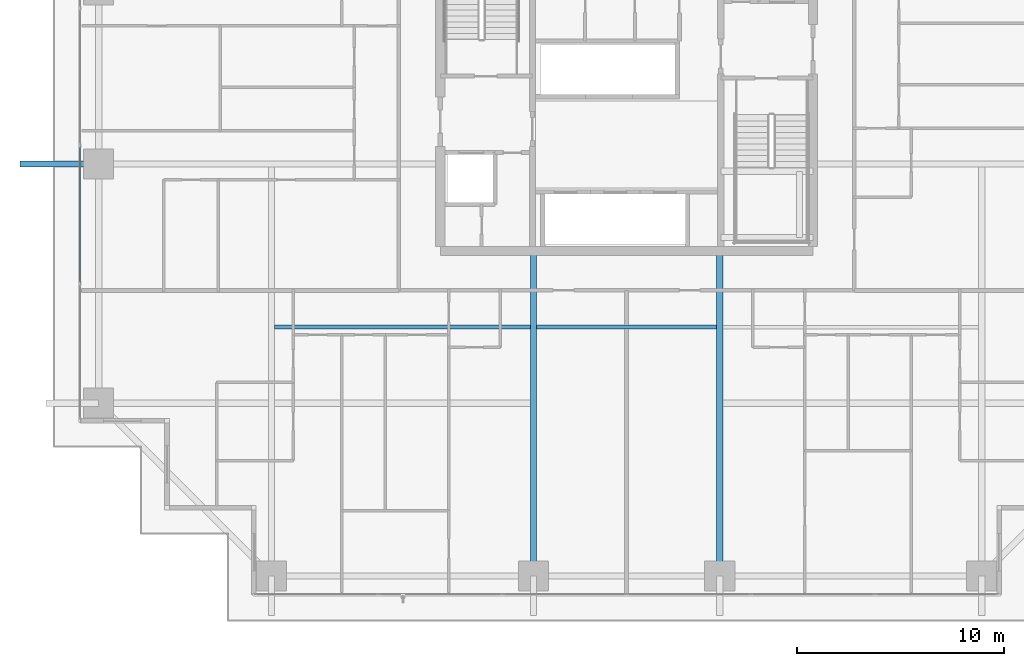
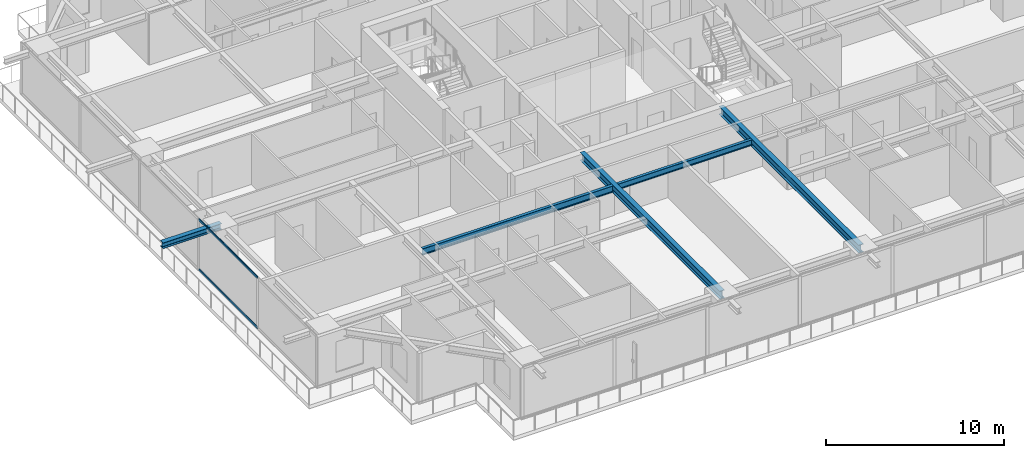
# One storey, part 6 of 39: 5 beams, 2 members, 1 element without a shape of its own.
"""IFC4 building model written with IfcOpenShell, lengths in metres."""

from ifc_helpers import new_model, si_unit, direction, frame, origin, origin_2d, place, context, subcontext, project, spatial, hollow_rectangle, i_section, extrude, source, transform, mapped, material, layer, layer_set, material_profile, profile_set, type_object, element, aggregate, save


model = new_model("IFC4")

# Units and contexts
model_context = context("Model", 3, precision=1e-05, world=origin(), true_north=direction((0.0, 1.0)))
body_context = subcontext(model_context, "Body", "Model", "MODEL_VIEW")
ifc_project = project(units=[si_unit("LENGTHUNIT", "METRE"), si_unit("AREAUNIT", "SQUARE_METRE"), si_unit("VOLUMEUNIT", "CUBIC_METRE"), si_unit("PLANEANGLEUNIT", "RADIAN"), si_unit("MASSUNIT", "GRAM", prefix="KILO")], contexts=[model_context])

# Site, building, storey
site_placement = place(None, origin())
site = spatial("IfcSite", under=ifc_project, at=site_placement, CompositionType="ELEMENT")
building_placement = place(site_placement, origin())
building = spatial("IfcBuilding", under=site, at=building_placement, Name="Serunith Strait Residences", CompositionType="ELEMENT")
storey_placement = place(building_placement, frame((0.0, 0.0, 97.949951171875)))
storey = spatial("IfcBuildingStorey", under=building, at=storey_placement, Name="L24", CompositionType="ELEMENT", Elevation=97.949951171875)

# Beams
ifc_material_1 = material(Name="Steel S355J2", Category="steel")
ifc_material_profile_1 = material_profile(ifc_material_1, i_section(OverallWidth=0.300048828125, OverallDepth=0.550048828125, WebThickness=0.014892578125, FlangeThickness=0.029052734375, FilletRadius=0.027099609375, at=origin_2d()), Name="HEB 550")
ifc_profile_set_1 = profile_set([ifc_material_profile_1], Name="Steel S355J2")
beam_type_1 = type_object("IfcBeamType", Name="BM-HEB550", PredefinedType="BEAM", material=ifc_profile_set_1)
shared_shape_1 = source(origin(), body_context, "Body", "SweptSolid", [
    extrude(i_section(OverallWidth=0.300048828125, OverallDepth=0.550048828125, WebThickness=0.014892578125, FlangeThickness=0.029052734375, FilletRadius=0.027099609375, at=origin_2d()), origin(), (0.0, 0.0, 1.0), 15.699951171875),
])
for number, where, z_axis, x_axis, name in (
    (1, (27.89990234375, 16.800048828125, 3.212158203125), (0.0, -1.0, 0.0), (1.0, 0.0, 0.0), "L24 Primary Floor Girder TC-S2"),
    (2, (36.89990234375, 16.800048828125, 3.212158203125), (0.0, -1.0, 0.0), (1.0, 0.0, 0.0), "L24 Primary Floor Girder TC-S3"),
):
    element("IfcBeam", number, at=place(storey_placement, frame(where, z_axis=z_axis, x_axis=x_axis)), inside=storey, type_object=beam_type_1, Name=name, PredefinedType="BEAM", context=body_context, shape_type="MappedRepresentation", body=[
        mapped(shared_shape_1, transform((0.0, 0.0, 0.0), scale=1.0)),
    ])
ifc_material_profile_2 = material_profile(ifc_material_1, i_section(OverallWidth=0.18994140625, OverallDepth=0.449951171875, WebThickness=0.009521484375, FlangeThickness=0.0146484375, FilletRadius=0.02099609375, at=origin_2d()), Name="IPE 450")
ifc_profile_set_2 = profile_set([ifc_material_profile_2], Name="Steel S355J2")
beam_type_2 = type_object("IfcBeamType", Name="BM-IPE450", PredefinedType="JOIST", material=ifc_profile_set_2)
shared_shape_2 = source(origin(), body_context, "Body", "SweptSolid", [
    extrude(i_section(OverallWidth=0.18994140625, OverallDepth=0.449951171875, WebThickness=0.009521484375, FlangeThickness=0.0146484375, FilletRadius=0.02099609375, at=origin_2d()), origin(), (0.0, 0.0, 1.0), 12.35009765625),
])
beam_1_placement = place(storey_placement, frame((15.39990234375, 13.125, 3.261962890625), z_axis=(1.0, 0.0, 0.0), x_axis=(0.0, 1.0, 0.0)))
element("IfcBeam", 3, at=beam_1_placement, inside=storey, type_object=beam_type_2, Name="L24 Composite Floor Joist 01", PredefinedType="JOIST", context=body_context, shape_type="MappedRepresentation", body=[
    mapped(shared_shape_2, transform((0.0, 0.0, 0.0), scale=1.0)),
])
ifc_material_profile_3 = material_profile(ifc_material_1, i_section(OverallWidth=0.179931640625, OverallDepth=0.39990234375, WebThickness=0.008544921875, FlangeThickness=0.013427734375, FilletRadius=0.02099609375, at=origin_2d()), Name="IPE 400")
ifc_profile_set_3 = profile_set([ifc_material_profile_3], Name="Steel S355J2")
beam_type_3 = type_object("IfcBeamType", Name="BM-IPE400", PredefinedType="JOIST", material=ifc_profile_set_3)
shared_shape_3 = source(origin(), body_context, "Body", "SweptSolid", [
    extrude(i_section(OverallWidth=0.179931640625, OverallDepth=0.39990234375, WebThickness=0.008544921875, FlangeThickness=0.013427734375, FilletRadius=0.02099609375, at=origin_2d()), origin(), (0.0, 0.0, 1.0), 8.699951171875),
])
beam_2_placement = place(storey_placement, frame((28.050048828125, 13.125, 3.287109375), z_axis=(1.0, 0.0, 0.0), x_axis=(0.0, 1.0, 0.0)))
element("IfcBeam", 4, at=beam_2_placement, inside=storey, type_object=beam_type_3, Name="L24 Composite Floor Joist 02", PredefinedType="JOIST", context=body_context, shape_type="MappedRepresentation", body=[
    mapped(shared_shape_3, transform((0.0, 0.0, 0.0), scale=1.0)),
])
ifc_material_profile_4 = material_profile(ifc_material_1, i_section(OverallWidth=0.300048828125, OverallDepth=0.39990234375, WebThickness=0.013427734375, FlangeThickness=0.02392578125, FilletRadius=0.027099609375, at=origin_2d()), Name="HEB 400")
ifc_profile_set_4 = profile_set([ifc_material_profile_4], Name="Steel S355J2")
beam_type_4 = type_object("IfcBeamType", Name="BM-HEB400", PredefinedType="BEAM", material=ifc_profile_set_4)
shared_shape_4 = source(origin(), body_context, "Body", "SweptSolid", [
    extrude(i_section(OverallWidth=0.300048828125, OverallDepth=0.39990234375, WebThickness=0.013427734375, FlangeThickness=0.02392578125, FilletRadius=0.027099609375, at=origin_2d()), origin(), (0.0, 0.0, 1.0), 3.7998046875),
])
beam_3_placement = place(storey_placement, frame((6.89990234375, 21.0, 3.257080078125), z_axis=(-1.0, 0.0, 0.0), x_axis=(0.0, -1.0, 0.0)))
element("IfcBeam", 5, at=beam_3_placement, inside=storey, type_object=beam_type_4, Name="L25 Cantilevered Balcony Rib TC-W2", PredefinedType="BEAM", context=body_context, shape_type="MappedRepresentation", body=[
    mapped(shared_shape_4, transform((0.0, 0.0, 0.0), scale=1.0)),
])

# Curtain wall, members
ifc_material_2 = material(Name="Pale-Champagne Anodised Aluminium", Category="aluminium")
ifc_layer = layer(ifc_material_2, 0.199951171875, Name="Pale-Champagne Anodised Aluminium")
ifc_layer_set = layer_set([ifc_layer], Name="Pale-Champagne Anodised Aluminium")
curtain_wall_type = type_object("IfcCurtainWallType", Name="CW-SYS1", PredefinedType="NOTDEFINED", material=ifc_layer_set)
curtain_wall_placement = place(storey_placement, origin())
curtain_wall = element("IfcCurtainWall", 6, at=curtain_wall_placement, inside=storey, type_object=curtain_wall_type, Name="L24 W Unitised Fritted Curtain Wall", PredefinedType="NOTDEFINED")
ifc_material_profile_5 = material_profile(ifc_material_2, hollow_rectangle(XDim=0.06005859375, YDim=0.159912109375, WallThickness=0.00341796875, InnerFilletRadius=0.00537109375, OuterFilletRadius=0.0087890625, at=origin_2d()), Name="ALU 160x60x3.5")
ifc_profile_set_5 = profile_set([ifc_material_profile_5], Name="Pale-Champagne Anodised Aluminium")
member_type = type_object("IfcMemberType", Name="CW-SYS1-TRAN", PredefinedType="USERDEFINED", material=ifc_profile_set_5)
shared_shape_5 = source(origin(), body_context, "Body", "SweptSolid", [
    extrude(hollow_rectangle(XDim=0.06005859375, YDim=0.159912109375, WallThickness=0.00341796875, InnerFilletRadius=0.00537109375, OuterFilletRadius=0.0087890625, at=origin_2d()), origin(), (0.0, 0.0, 1.0), 6.570068359375),
])
member_1_placement = place(storey_placement, frame((6.0, 21.844970703125, 0.030029296875), z_axis=(0.0, -1.0, 0.0), x_axis=(1.0, 0.0, 0.0)))
member_1 = element("IfcMember", 7, at=member_1_placement, type_object=member_type, Name="CW-1 transom 4.1", ObjectType="TRANSOM", PredefinedType="USERDEFINED", context=body_context, shape_type="MappedRepresentation", body=[
    mapped(shared_shape_5, transform((0.0, 0.0, 0.0), scale=1.0)),
])
member_2_placement = place(storey_placement, frame((6.0, 21.844970703125, 3.445068359375), z_axis=(0.0, -1.0, 0.0), x_axis=(1.0, 0.0, 0.0)))
member_2 = element("IfcMember", 8, at=member_2_placement, type_object=member_type, Name="CW-1 transom 4.2", ObjectType="TRANSOM", PredefinedType="USERDEFINED", context=body_context, shape_type="MappedRepresentation", body=[
    mapped(shared_shape_5, transform((0.0, 0.0, 0.0), scale=1.0)),
])
aggregate(curtain_wall, [member_1, member_2])

save(model, "model.ifc")
